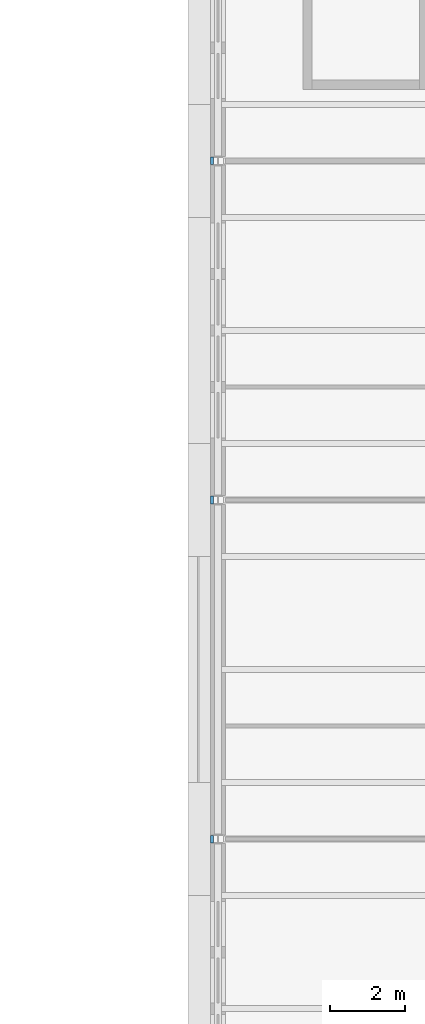
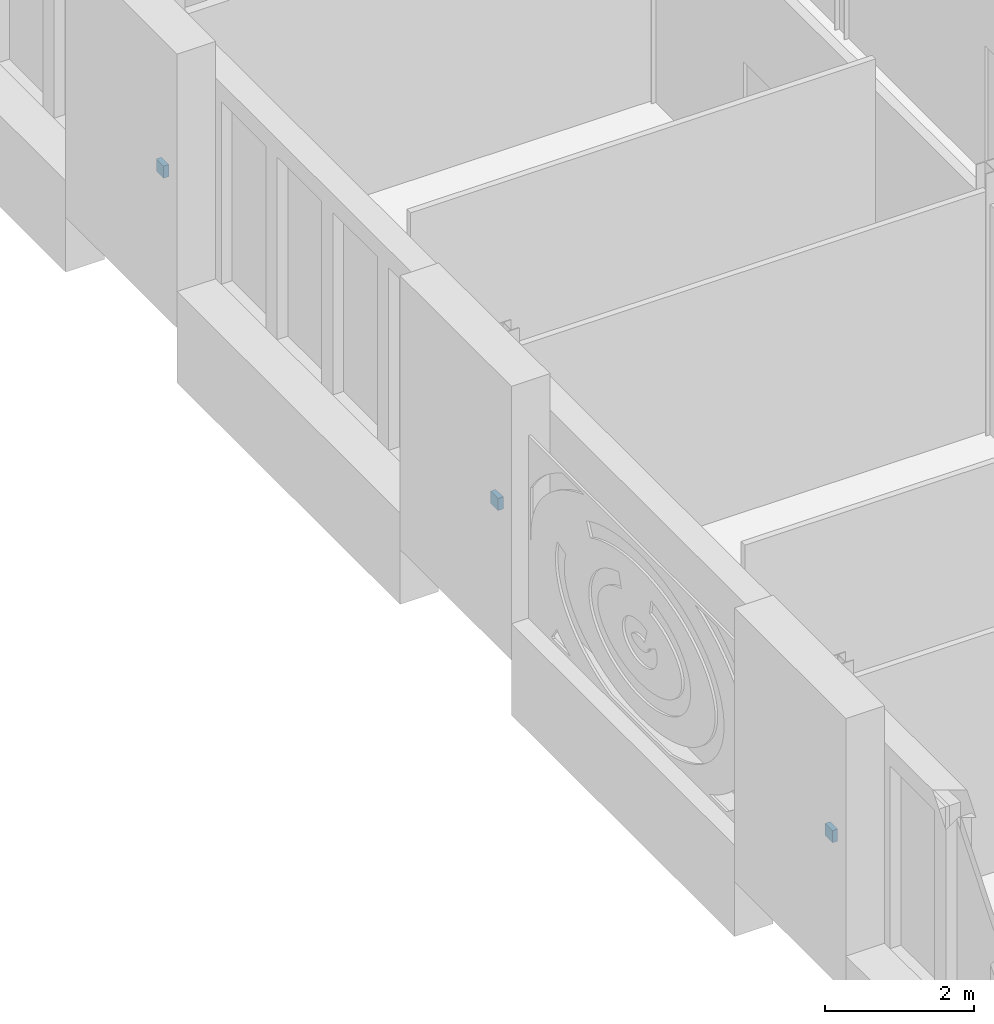
# One storey, part 100 of 131: 3 discrete accessories.
"""IFC4 building model written with IfcOpenShell, lengths in metres."""

from ifc_helpers import new_model, si_unit, direction, frame, origin, origin_2d, place, context, subcontext, project, spatial, rectangle, extrude, material, type_object, element, save


model = new_model("IFC4")

# Units and contexts
model_context = context("Model", 3, precision=1e-05, world=origin(), true_north=direction((0.0, 1.0)))
body_context = subcontext(model_context, "Body", "Model", "MODEL_VIEW")
ifc_project = project(units=[si_unit("LENGTHUNIT", "METRE"), si_unit("AREAUNIT", "SQUARE_METRE"), si_unit("VOLUMEUNIT", "CUBIC_METRE"), si_unit("PLANEANGLEUNIT", "RADIAN"), si_unit("MASSUNIT", "GRAM", prefix="KILO")], contexts=[model_context])

# Site, building, storey
site_placement = place(None, origin())
site = spatial("IfcSite", under=ifc_project, at=site_placement, CompositionType="ELEMENT")
building_placement = place(site_placement, origin())
building = spatial("IfcBuilding", under=site, at=building_placement, Name="Golden Quay Civic Hall", CompositionType="ELEMENT")
storey_placement = place(building_placement, frame((0.0, 0.0, 9.89990234375)))
storey = spatial("IfcBuildingStorey", under=building, at=storey_placement, Name="L02", CompositionType="ELEMENT", Elevation=9.89990234375)

# Discrete accessories
ifc_material = material(Name="Steel S355", Category="steel")
discrete_accessory_type = type_object("IfcDiscreteAccessoryType", Name="Pier fixing bracket 200 x 200", PredefinedType="BRACKET", material=ifc_material)
for number, where, z_axis, x_axis, name in (
    (1, (53.840087890625, 27.0, 1.39990234375), (0.0, 0.0, 1.0), (0.0, -1.0, 0.0), "Pier fixing bracket 200 x 200 L02 15"),
    (2, (53.840087890625, 36.0, 1.39990234375), (0.0, 0.0, 1.0), (0.0, -1.0, 0.0), "Pier fixing bracket 200 x 200 L02 16"),
    (3, (53.840087890625, 45.0, 1.39990234375), (0.0, 0.0, 1.0), (0.0, -1.0, 0.0), "Pier fixing bracket 200 x 200 L02 17"),
):
    element("IfcDiscreteAccessory", number, at=place(storey_placement, frame(where, z_axis=z_axis, x_axis=x_axis)), inside=storey, type_object=discrete_accessory_type, Name=name, PredefinedType="BRACKET", context=body_context, shape_type="SweptSolid", body=[
        extrude(rectangle(XDim=0.199951171875, YDim=0.080078125, at=origin_2d()), origin(), (0.0, 0.0, 1.0), 0.199951171875),
    ])

save(model, "model.ifc")
